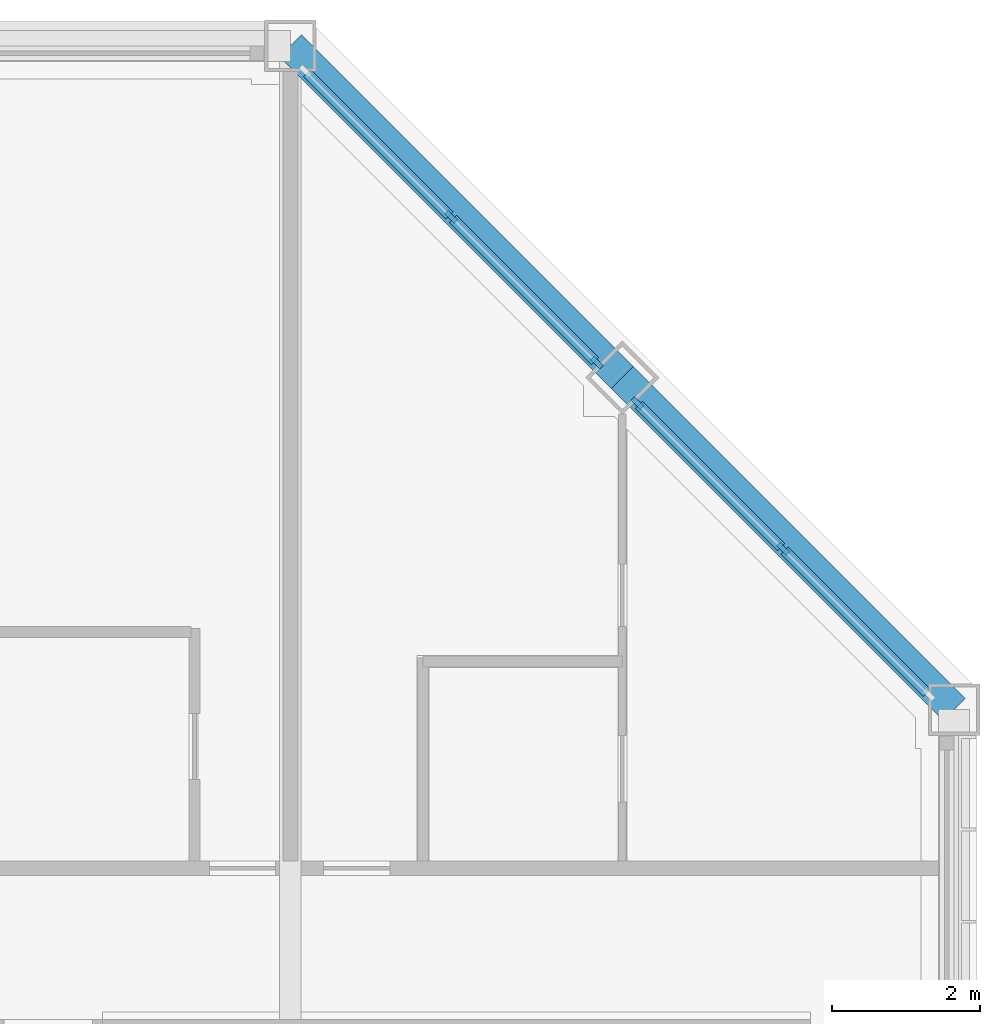
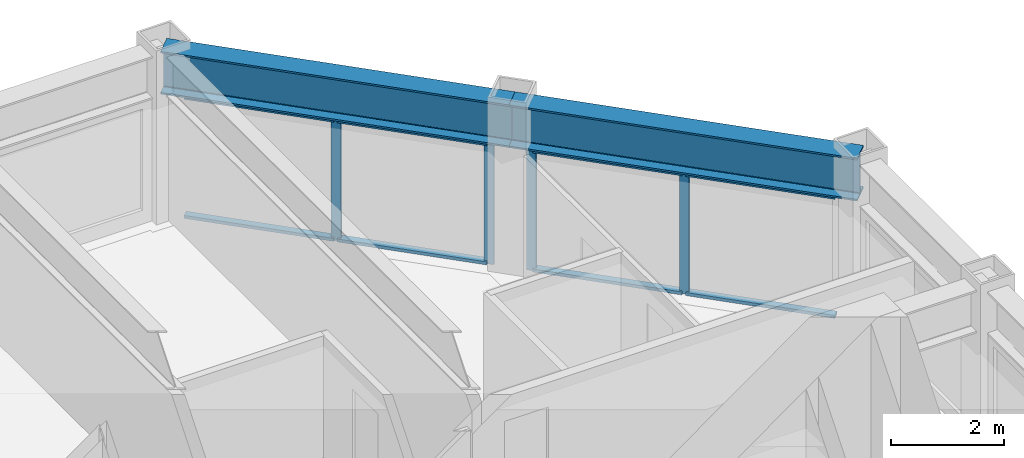
# One storey, part 7 of 18: 12 members, 2 beams, 2 elements without a shape of their own.
"""IFC4 building model written with IfcOpenShell, lengths in metres."""

from ifc_helpers import new_model, si_unit, direction, frame, origin, origin_2d, place, context, subcontext, project, spatial, rectangle, i_section, extrude, material, material_profile, profile_set, type_object, element, aggregate, save


model = new_model("IFC4")

# Units and contexts
model_context = context("Model", 3, precision=1e-05, world=origin(), true_north=direction((0.0, 1.0)))
body_context = subcontext(model_context, "Body", "Model", "MODEL_VIEW")
ifc_project = project(units=[si_unit("LENGTHUNIT", "METRE"), si_unit("AREAUNIT", "SQUARE_METRE"), si_unit("VOLUMEUNIT", "CUBIC_METRE"), si_unit("PLANEANGLEUNIT", "RADIAN"), si_unit("MASSUNIT", "GRAM", prefix="KILO")], contexts=[model_context])

# Site, building, storey
site_placement = place(None, origin())
site = spatial("IfcSite", under=ifc_project, at=site_placement, CompositionType="ELEMENT")
building_placement = place(site_placement, origin())
building = spatial("IfcBuilding", under=site, at=building_placement, Name="Msasa Ring Tower", CompositionType="ELEMENT")
storey_placement = place(building_placement, frame((0.0, 0.0, 208.300048828125)))
storey = spatial("IfcBuildingStorey", under=building, at=storey_placement, Name="L54", CompositionType="ELEMENT", Elevation=208.300048828125)

# Curtain wall, members
ifc_material_1 = material(Name="Aluminium curtain wall with clear glass", Category="aluminium")
curtain_wall_type = type_object("IfcCurtainWallType", Name="CW-C CHAMFER CORNER CURTAIN WALL", PredefinedType="NOTDEFINED", material=ifc_material_1)
curtain_wall_1_placement = place(storey_placement, origin())
curtain_wall_1 = element("IfcCurtainWall", 1, at=curtain_wall_1_placement, inside=storey, type_object=curtain_wall_type, Name="Chamfer corner curtain wall NE L54", PredefinedType="NOTDEFINED")
ifc_material_2 = material(Name="Aluminium mullion", Category="aluminium")
ifc_material_profile_1 = material_profile(ifc_material_2, rectangle(XDim=0.06494140625, YDim=0.179931640625, at=origin_2d()), Name="AL 65x180")
ifc_profile_set_1 = profile_set([ifc_material_profile_1], Name="Aluminium mullion")
member_type_1 = type_object("IfcMemberType", Name="CW-C MULLION 65x180", PredefinedType="MULLION", material=ifc_profile_set_1)
member_1_placement = place(storey_placement, frame((15.4052734375, 15.953369140625, 0.0), z_axis=(0.0, 0.0, 1.0), x_axis=(-0.707106781187, -0.707106781187, 0.0)))
member_1 = element("IfcMember", 2, at=member_1_placement, type_object=member_type_1, Name="CW-C mullion 1", PredefinedType="MULLION", context=body_context, shape_type="SweptSolid", body=[
    extrude(rectangle(XDim=0.06494140625, YDim=0.179931640625, at=origin_2d()), origin(), (0.0, 0.0, 1.0), 2.62890625),
])
member_2_placement = place(storey_placement, frame((13.42919921875, 17.92919921875, 0.0), z_axis=(0.0, 0.0, 1.0), x_axis=(-0.707106781187, -0.707106781187, 0.0)))
member_2 = element("IfcMember", 3, at=member_2_placement, type_object=member_type_1, Name="CW-C mullion 2", PredefinedType="MULLION", context=body_context, shape_type="SweptSolid", body=[
    extrude(rectangle(XDim=0.06494140625, YDim=0.179931640625, at=origin_2d()), origin(), (0.0, 0.0, 1.0), 2.62890625),
])

curtain_wall_2_placement = place(storey_placement, origin())
curtain_wall_2 = element("IfcCurtainWall", 4, at=curtain_wall_2_placement, inside=storey, type_object=curtain_wall_type, Name="Chamfer corner curtain wall NE L54", PredefinedType="NOTDEFINED")
member_3_placement = place(storey_placement, frame((17.92919921875, 13.42919921875, 0.0), z_axis=(0.0, 0.0, 1.0), x_axis=(-0.707106781187, -0.707106781187, 0.0)))
member_3 = element("IfcMember", 5, at=member_3_placement, type_object=member_type_1, Name="CW-C mullion 2", PredefinedType="MULLION", context=body_context, shape_type="SweptSolid", body=[
    extrude(rectangle(XDim=0.06494140625, YDim=0.179931640625, at=origin_2d()), origin(), (0.0, 0.0, 1.0), 2.62890625),
])
member_4_placement = place(storey_placement, frame((15.953369140625, 15.4052734375, 0.0), z_axis=(0.0, 0.0, 1.0), x_axis=(-0.707106781187, -0.707106781187, 0.0)))
member_4 = element("IfcMember", 6, at=member_4_placement, type_object=member_type_1, Name="CW-C mullion 3", PredefinedType="MULLION", context=body_context, shape_type="SweptSolid", body=[
    extrude(rectangle(XDim=0.06494140625, YDim=0.179931640625, at=origin_2d()), origin(), (0.0, 0.0, 1.0), 2.62890625),
])

# Member
ifc_material_3 = material(Name="Aluminium transom", Category="aluminium")
ifc_material_profile_2 = material_profile(ifc_material_3, rectangle(XDim=0.139892578125, YDim=0.06494140625, at=origin_2d()), Name="AL 65x140")
ifc_profile_set_2 = profile_set([ifc_material_profile_2], Name="Aluminium transom")
member_type_2 = type_object("IfcMemberType", Name="CW-C TRANSOM 65x140", PredefinedType="USERDEFINED", material=ifc_profile_set_2)
member_5_placement = place(storey_placement, frame((15.38232421875, 15.976318359375, 0.032470703125), z_axis=(-0.707106781187, 0.707106781187, 0.0), x_axis=(-0.707106781187, -0.707106781187, 0.0)))
member_5 = element("IfcMember", 7, at=member_5_placement, type_object=member_type_2, Name="CW-C transom 1.1", ObjectType="TRANSOM", PredefinedType="USERDEFINED", context=body_context, shape_type="SweptSolid", body=[
    extrude(rectangle(XDim=0.139892578125, YDim=0.06494140625, at=origin_2d()), origin(), (0.0, 0.0, 1.0), 2.729248046875),
])

member_6_placement = place(storey_placement, frame((15.38232421875, 15.976318359375, 2.596435546875), z_axis=(-0.707106781187, 0.707106781187, 0.0), x_axis=(-0.707106781187, -0.707106781187, 0.0)))
member_6 = element("IfcMember", 8, at=member_6_placement, type_object=member_type_2, Name="CW-C transom 1.2", ObjectType="TRANSOM", PredefinedType="USERDEFINED", context=body_context, shape_type="SweptSolid", body=[
    extrude(rectangle(XDim=0.139892578125, YDim=0.06494140625, at=origin_2d()), origin(), (0.0, 0.0, 1.0), 2.729248046875),
])

member_7_placement = place(storey_placement, frame((13.40625, 17.952392578125, 0.032470703125), z_axis=(-0.707106781187, 0.707106781187, 0.0), x_axis=(-0.707106781187, -0.707106781187, 0.0)))
member_7 = element("IfcMember", 9, at=member_7_placement, type_object=member_type_2, Name="CW-C transom 2.1", ObjectType="TRANSOM", PredefinedType="USERDEFINED", context=body_context, shape_type="SweptSolid", body=[
    extrude(rectangle(XDim=0.139892578125, YDim=0.06494140625, at=origin_2d()), origin(), (0.0, 0.0, 1.0), 2.729248046875),
])

member_8_placement = place(storey_placement, frame((13.40625, 17.952392578125, 2.596435546875), z_axis=(-0.707106781187, 0.707106781187, 0.0), x_axis=(-0.707106781187, -0.707106781187, 0.0)))
member_8 = element("IfcMember", 10, at=member_8_placement, type_object=member_type_2, Name="CW-C transom 2.2", ObjectType="TRANSOM", PredefinedType="USERDEFINED", context=body_context, shape_type="SweptSolid", body=[
    extrude(rectangle(XDim=0.139892578125, YDim=0.06494140625, at=origin_2d()), origin(), (0.0, 0.0, 1.0), 2.729248046875),
])

aggregate(curtain_wall_1, [member_1, member_2, member_5, member_6, member_7, member_8])

member_9_placement = place(storey_placement, frame((19.88232421875, 11.476318359375, 0.032470703125), z_axis=(-0.707106781187, 0.707106781187, 0.0), x_axis=(-0.707106781187, -0.707106781187, 0.0)))
member_9 = element("IfcMember", 11, at=member_9_placement, type_object=member_type_2, Name="CW-C transom 1.1", ObjectType="TRANSOM", PredefinedType="USERDEFINED", context=body_context, shape_type="SweptSolid", body=[
    extrude(rectangle(XDim=0.139892578125, YDim=0.06494140625, at=origin_2d()), origin(), (0.0, 0.0, 1.0), 2.729248046875),
])

member_10_placement = place(storey_placement, frame((19.88232421875, 11.476318359375, 2.596435546875), z_axis=(-0.707106781187, 0.707106781187, 0.0), x_axis=(-0.707106781187, -0.707106781187, 0.0)))
member_10 = element("IfcMember", 12, at=member_10_placement, type_object=member_type_2, Name="CW-C transom 1.2", ObjectType="TRANSOM", PredefinedType="USERDEFINED", context=body_context, shape_type="SweptSolid", body=[
    extrude(rectangle(XDim=0.139892578125, YDim=0.06494140625, at=origin_2d()), origin(), (0.0, 0.0, 1.0), 2.729248046875),
])

member_11_placement = place(storey_placement, frame((17.90625, 13.452392578125, 0.032470703125), z_axis=(-0.707106781187, 0.707106781187, 0.0), x_axis=(-0.707106781187, -0.707106781187, 0.0)))
member_11 = element("IfcMember", 13, at=member_11_placement, type_object=member_type_2, Name="CW-C transom 2.1", ObjectType="TRANSOM", PredefinedType="USERDEFINED", context=body_context, shape_type="SweptSolid", body=[
    extrude(rectangle(XDim=0.139892578125, YDim=0.06494140625, at=origin_2d()), origin(), (0.0, 0.0, 1.0), 2.729248046875),
])

member_12_placement = place(storey_placement, frame((17.90625, 13.452392578125, 2.596435546875), z_axis=(-0.707106781187, 0.707106781187, 0.0), x_axis=(-0.707106781187, -0.707106781187, 0.0)))
member_12 = element("IfcMember", 14, at=member_12_placement, type_object=member_type_2, Name="CW-C transom 2.2", ObjectType="TRANSOM", PredefinedType="USERDEFINED", context=body_context, shape_type="SweptSolid", body=[
    extrude(rectangle(XDim=0.139892578125, YDim=0.06494140625, at=origin_2d()), origin(), (0.0, 0.0, 1.0), 2.729248046875),
])

aggregate(curtain_wall_2, [member_3, member_4, member_9, member_10, member_11, member_12])

# Beams
ifc_material_4 = material(Name="Steel S355", Category="steel")
ifc_material_profile_3 = material_profile(ifc_material_4, i_section(OverallWidth=0.42041015625, OverallDepth=0.9208984375, WebThickness=0.021484375, FlangeThickness=0.03662109375, FilletRadius=0.024169921875, at=origin_2d()), Name="UB 914x419x388")
ifc_profile_set_3 = profile_set([ifc_material_profile_3], Name="Steel S355")
beam_type = type_object("IfcBeamType", Name="SB1 UB 914x419x388", PredefinedType="SPANDREL", material=ifc_profile_set_3)
for number, where, z_axis, x_axis, name in (
    (15, (20.25, 11.25, 3.08935546875), (-0.707106781187, 0.707106781187, 0.0), (-0.707106781187, -0.707106781187, 0.0), "Spandrel E+11.25 to NE under L55"),
    (16, (15.75, 15.75, 3.08935546875), (-0.707106781187, 0.707106781187, 0.0), (-0.707106781187, -0.707106781187, 0.0), "Spandrel NE to N+11.25 under L55"),
):
    element("IfcBeam", number, at=place(storey_placement, frame(where, z_axis=z_axis, x_axis=x_axis)), inside=storey, type_object=beam_type, Name=name, PredefinedType="SPANDREL", context=body_context, shape_type="SweptSolid", body=[
        extrude(i_section(OverallWidth=0.42041015625, OverallDepth=0.9208984375, WebThickness=0.021484375, FlangeThickness=0.03662109375, FilletRadius=0.024169921875, at=origin_2d()), origin(), (0.0, 0.0, 1.0), 6.364013671875),
    ])

save(model, "model.ifc")
